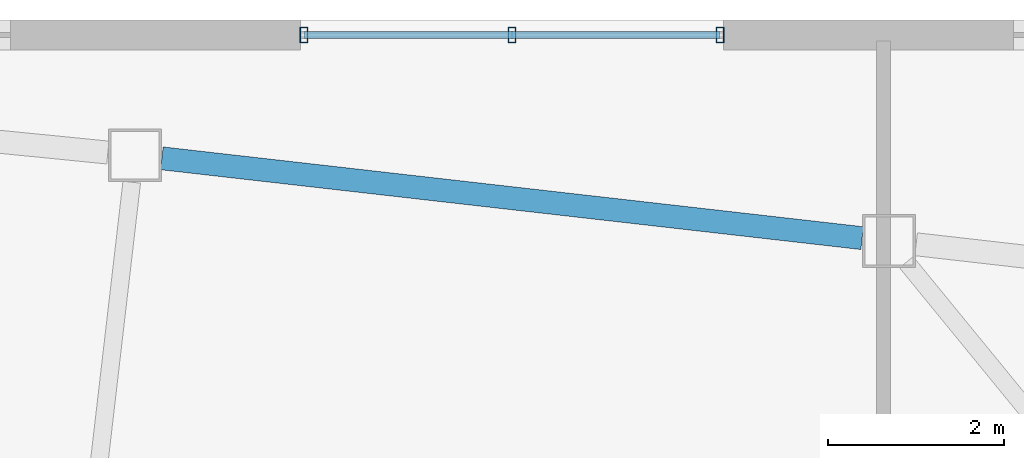
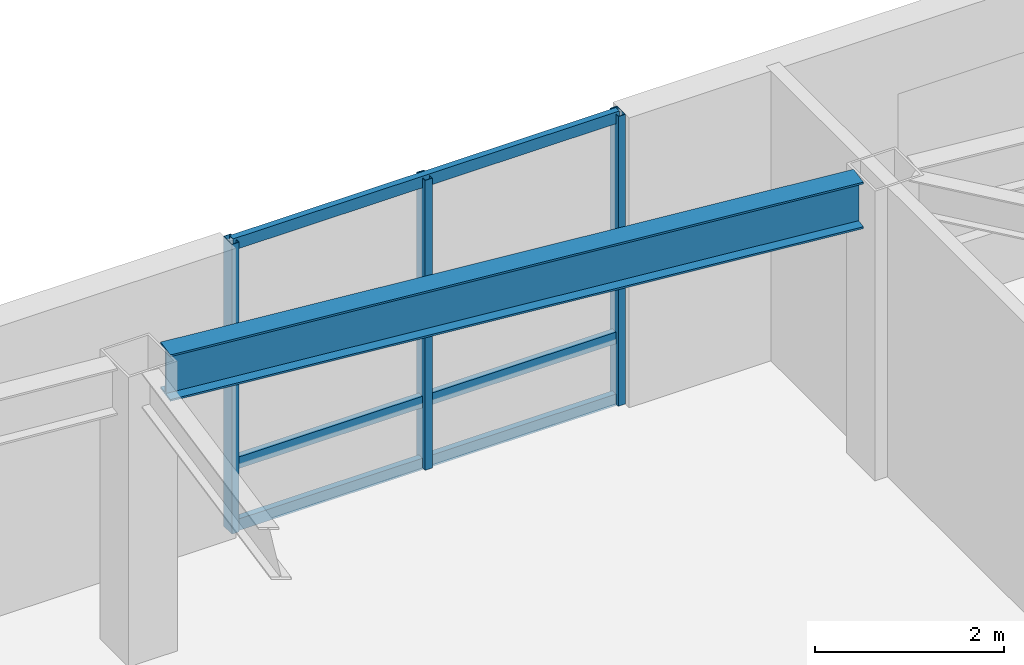
# One storey, part 9 of 19: 6 members, 1 beam, 1 element without a shape of its own.
"""IFC4 building model written with IfcOpenShell, lengths in metres."""

from ifc_helpers import new_model, si_unit, direction, frame, origin, origin_2d, place, context, subcontext, project, spatial, hollow_rectangle, i_section, extrude, material, layer, layer_set, material_profile, profile_set, type_object, element, aggregate, save


model = new_model("IFC4")

# Units and contexts
model_context = context("Model", 3, precision=1e-05, world=origin(), true_north=direction((0.0, 1.0)))
body_context = subcontext(model_context, "Body", "Model", "MODEL_VIEW")
ifc_project = project(units=[si_unit("LENGTHUNIT", "METRE"), si_unit("AREAUNIT", "SQUARE_METRE"), si_unit("VOLUMEUNIT", "CUBIC_METRE"), si_unit("PLANEANGLEUNIT", "RADIAN"), si_unit("MASSUNIT", "GRAM", prefix="KILO")], contexts=[model_context])

# Site, building, storey
site_placement = place(None, origin())
site = spatial("IfcSite", under=ifc_project, at=site_placement, CompositionType="ELEMENT")
building_placement = place(site_placement, origin())
building = spatial("IfcBuilding", under=site, at=building_placement, Name="Tavrogorsk Clinical Tower", CompositionType="ELEMENT")
storey_placement = place(building_placement, frame((0.0, 0.0, 156.199951171875)))
storey = spatial("IfcBuildingStorey", under=building, at=storey_placement, Name="L35", CompositionType="ELEMENT", Elevation=156.199951171875)

# Curtain wall, members
ifc_material_1 = material(Name="Anodised aluminium and triple IGU glazing", Category="aluminium")
ifc_layer = layer(ifc_material_1, 0.179931640625)
ifc_layer_set = layer_set([ifc_layer], Name="Anodised aluminium and triple IGU glazing")
curtain_wall_type = type_object("IfcCurtainWallType", Name="CW2_NorthSlot", PredefinedType="NOTDEFINED", material=ifc_layer_set)
curtain_wall_placement = place(storey_placement, origin())
curtain_wall = element("IfcCurtainWall", 1, at=curtain_wall_placement, inside=storey, type_object=curtain_wall_type, Name="L35 Curtain Wall CW-L35-N-SLOT-2", PredefinedType="NOTDEFINED")
ifc_material_2 = material(Name="Anodised aluminium alloy AW-6060", Category="aluminium")
ifc_material_profile_1 = material_profile(ifc_material_2, hollow_rectangle(XDim=0.090087890625, YDim=0.179931640625, WallThickness=0.00634765625, at=origin_2d()), Name="RHS-180x90x6.3")
ifc_profile_set_1 = profile_set([ifc_material_profile_1], Name="Anodised aluminium alloy AW-6060")
member_type_1 = type_object("IfcMemberType", Name="CwMullion_180x90", PredefinedType="MULLION", material=ifc_profile_set_1)
member_1_placement = place(storey_placement, frame((13.26904296875, 26.929931640625, 0.0), z_axis=(0.0, 0.0, 1.0), x_axis=(-1.0, 0.0, 0.0)))
member_1 = element("IfcMember", 2, at=member_1_placement, type_object=member_type_1, Name="CW-L35-N-SLOT-2 Mullion 1", PredefinedType="MULLION", context=body_context, shape_type="SweptSolid", body=[
    extrude(hollow_rectangle(XDim=0.090087890625, YDim=0.179931640625, WallThickness=0.00634765625, at=origin_2d()), origin(), (0.0, 0.0, 1.0), 3.739990234375),
])
member_2_placement = place(storey_placement, frame((10.91015625, 26.929931640625, 0.0), z_axis=(0.0, 0.0, 1.0), x_axis=(-1.0, 0.0, 0.0)))
member_2 = element("IfcMember", 3, at=member_2_placement, type_object=member_type_1, Name="CW-L35-N-SLOT-2 Mullion 2", PredefinedType="MULLION", context=body_context, shape_type="SweptSolid", body=[
    extrude(hollow_rectangle(XDim=0.090087890625, YDim=0.179931640625, WallThickness=0.00634765625, at=origin_2d()), origin(), (0.0, 0.0, 1.0), 3.739990234375),
])
member_3_placement = place(storey_placement, frame((8.551025390625, 26.929931640625, 0.0), z_axis=(0.0, 0.0, 1.0), x_axis=(-1.0, 0.0, 0.0)))
member_3 = element("IfcMember", 4, at=member_3_placement, type_object=member_type_1, Name="CW-L35-N-SLOT-2 Mullion 3", PredefinedType="MULLION", context=body_context, shape_type="SweptSolid", body=[
    extrude(hollow_rectangle(XDim=0.090087890625, YDim=0.179931640625, WallThickness=0.00634765625, at=origin_2d()), origin(), (0.0, 0.0, 1.0), 3.739990234375),
])
ifc_material_3 = material(Name="Anodised aluminium alloy AW-6060", Category="aluminium")
ifc_material_profile_2 = material_profile(ifc_material_3, hollow_rectangle(XDim=0.074951171875, YDim=0.14990234375, WallThickness=0.0048828125, at=origin_2d()), Name="RHS-150x75x5")
ifc_profile_set_2 = profile_set([ifc_material_profile_2], Name="Anodised aluminium alloy AW-6060")
member_type_2 = type_object("IfcMemberType", Name="CwTransom_150x75", PredefinedType="USERDEFINED", material=ifc_profile_set_2)
member_4_placement = place(storey_placement, frame((13.26904296875, 26.929931640625, 0.050048828125), z_axis=(-1.0, 0.0, 0.0), x_axis=(0.0, -1.0, 0.0)))
member_4 = element("IfcMember", 5, at=member_4_placement, type_object=member_type_2, Name="CW-L35-N-SLOT-2 Transom 1", ObjectType="TRANSOM", PredefinedType="USERDEFINED", context=body_context, shape_type="SweptSolid", body=[
    extrude(hollow_rectangle(XDim=0.074951171875, YDim=0.14990234375, WallThickness=0.0048828125, at=origin_2d()), origin(), (0.0, 0.0, 1.0), 4.718017578125),
])
member_5_placement = place(storey_placement, frame((13.26904296875, 26.929931640625, 0.85009765625), z_axis=(-1.0, 0.0, 0.0), x_axis=(0.0, -1.0, 0.0)))
member_5 = element("IfcMember", 6, at=member_5_placement, type_object=member_type_2, Name="CW-L35-N-SLOT-2 Transom 2", ObjectType="TRANSOM", PredefinedType="USERDEFINED", context=body_context, shape_type="SweptSolid", body=[
    extrude(hollow_rectangle(XDim=0.074951171875, YDim=0.14990234375, WallThickness=0.0048828125, at=origin_2d()), origin(), (0.0, 0.0, 1.0), 4.718017578125),
])
member_6_placement = place(storey_placement, frame((13.26904296875, 26.929931640625, 3.68994140625), z_axis=(-1.0, 0.0, 0.0), x_axis=(0.0, -1.0, 0.0)))
member_6 = element("IfcMember", 7, at=member_6_placement, type_object=member_type_2, Name="CW-L35-N-SLOT-2 Transom 3", ObjectType="TRANSOM", PredefinedType="USERDEFINED", context=body_context, shape_type="SweptSolid", body=[
    extrude(hollow_rectangle(XDim=0.074951171875, YDim=0.14990234375, WallThickness=0.0048828125, at=origin_2d()), origin(), (0.0, 0.0, 1.0), 4.718017578125),
])
aggregate(curtain_wall, [member_1, member_2, member_3, member_4, member_5, member_6])

# Beam
ifc_material_4 = material(Name="Structural steel S390", Category="steel")
ifc_material_profile_3 = material_profile(ifc_material_4, i_section(OverallWidth=0.260009765625, OverallDepth=0.60009765625, WebThickness=0.014892578125, FlangeThickness=0.02392578125, at=origin_2d()), Name="B-600x260x15x24")
ifc_profile_set_3 = profile_set([ifc_material_profile_3], Name="Structural steel S390")
beam_type = type_object("IfcBeamType", Name="SpandrelBeam_B600", PredefinedType="SPANDREL", material=ifc_profile_set_3)
beam_placement = place(storey_placement, frame((14.8798828125, 24.626953125, 3.43994140625), z_axis=(-0.993569449752, 0.113224328304, 0.0), x_axis=(-0.113224328304, -0.993569449752, 0.0)))
element("IfcBeam", 8, at=beam_placement, inside=storey, type_object=beam_type, Name="L35 Perimeter Spandrel N3-N4", PredefinedType="SPANDREL", context=body_context, shape_type="SweptSolid", body=[
    extrude(i_section(OverallWidth=0.260009765625, OverallDepth=0.60009765625, WebThickness=0.014892578125, FlangeThickness=0.02392578125, at=origin_2d()), origin(), (0.0, 0.0, 1.0), 7.990966796875),
])

save(model, "model.ifc")
